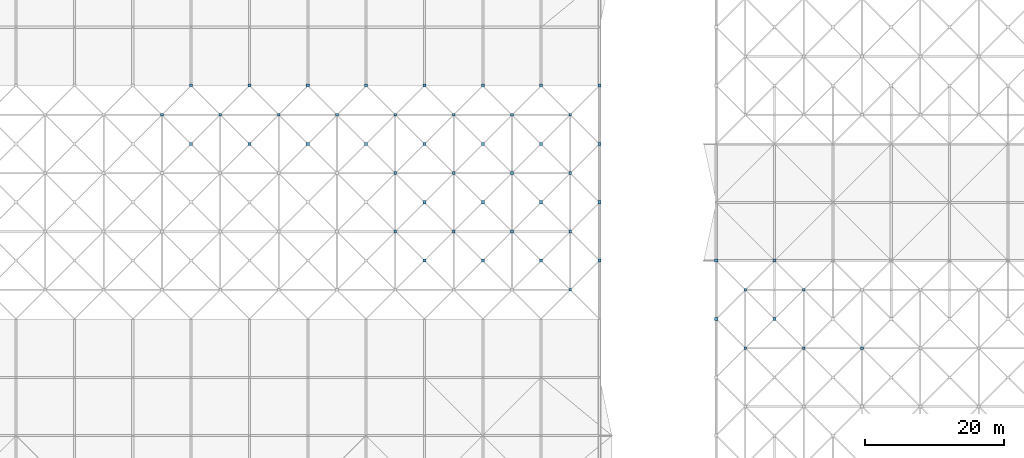
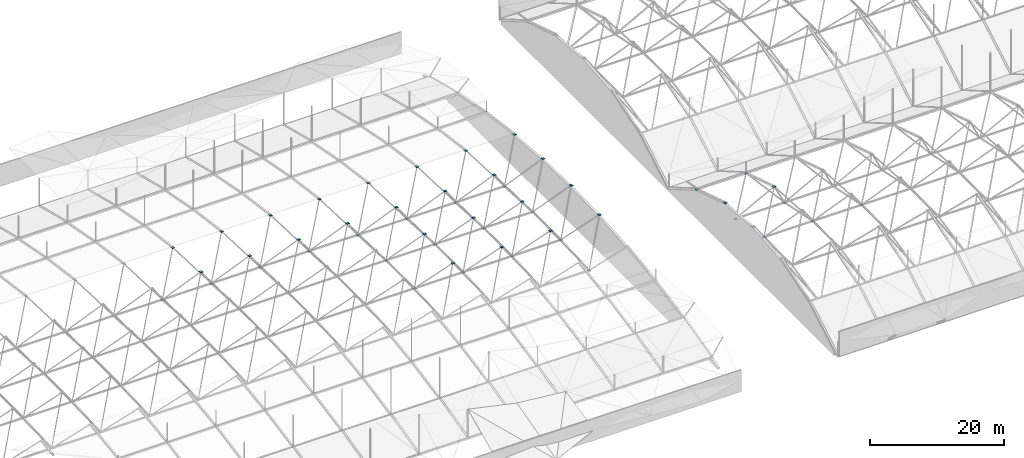
# One storey, part 105 of 111: 50 discrete accessories.
"""IFC4 building model written with IfcOpenShell, lengths in metres."""

from ifc_helpers import new_model, si_unit, direction, frame, origin, origin_2d, place, context, subcontext, project, spatial, rectangle, extrude, material, layer, layer_set, type_object, element, save


model = new_model("IFC4")

# Units and contexts
model_context = context("Model", 3, precision=1e-05, world=origin(), true_north=direction((0.0, 1.0)))
body_context = subcontext(model_context, "Body", "Model", "MODEL_VIEW")
ifc_project = project(units=[si_unit("LENGTHUNIT", "METRE"), si_unit("AREAUNIT", "SQUARE_METRE"), si_unit("VOLUMEUNIT", "CUBIC_METRE"), si_unit("PLANEANGLEUNIT", "RADIAN"), si_unit("MASSUNIT", "GRAM", prefix="KILO")], contexts=[model_context])

# Site, building, storey
site_placement = place(None, origin())
site = spatial("IfcSite", under=ifc_project, at=site_placement, CompositionType="ELEMENT")
building_placement = place(site_placement, origin())
building = spatial("IfcBuilding", under=site, at=building_placement, Name="Rain Tree Exposition and Congress Centre", CompositionType="ELEMENT")
storey_placement = place(building_placement, frame((0.0, 0.0, 19.5)))
storey = spatial("IfcBuildingStorey", under=building, at=storey_placement, Name="RF", CompositionType="ELEMENT", Elevation=19.5)

# Discrete accessories
ifc_material_1 = material(Name="Steel plate S355J2", Category="steel")
ifc_layer_1 = layer(ifc_material_1, 0.02001953125)
ifc_layer_set_1 = layer_set([ifc_layer_1], Name="Steel plate S355J2")
discrete_accessory_type_1 = type_object("IfcDiscreteAccessoryType", Name="Brace node plate 400x400x20", PredefinedType="BRACKET", material=ifc_layer_set_1)
for number, where, z_axis, x_axis, name in (
    (1, (121.800048828125, 138.60009765625, 0.378173828125), (0.0, 0.0, 1.0), (1.0, 0.0, 0.0), "Brace node plate 400"),
    (2, (96.60009765625, 147.0, 0.833251953125), (0.0, 0.0, 1.0), (1.0, 0.0, 0.0), "Brace node plate 400"),
    (3, (105.0, 147.0, 0.833251953125), (0.0, 0.0, 1.0), (1.0, 0.0, 0.0), "Brace node plate 400"),
    (4, (113.39990234375, 147.0, 0.833251953125), (0.0, 0.0, 1.0), (1.0, 0.0, 0.0), "Brace node plate 400"),
    (5, (121.800048828125, 147.0, 0.833251953125), (0.0, 0.0, 1.0), (1.0, 0.0, 0.0), "Brace node plate 400"),
    (6, (96.60009765625, 155.39990234375, 0.833251953125), (0.0, 0.0, 1.0), (1.0, 0.0, 0.0), "Brace node plate 400"),
    (7, (105.0, 155.39990234375, 0.833251953125), (0.0, 0.0, 1.0), (1.0, 0.0, 0.0), "Brace node plate 400"),
    (8, (113.39990234375, 155.39990234375, 0.833251953125), (0.0, 0.0, 1.0), (1.0, 0.0, 0.0), "Brace node plate 400"),
    (9, (121.800048828125, 155.39990234375, 0.833251953125), (0.0, 0.0, 1.0), (1.0, 0.0, 0.0), "Brace node plate 400"),
    (10, (63.0, 163.800048828125, 0.378173828125), (0.0, 0.0, 1.0), (1.0, 0.0, 0.0), "Brace node plate 400"),
    (11, (71.39990234375, 163.800048828125, 0.378173828125), (0.0, 0.0, 1.0), (1.0, 0.0, 0.0), "Brace node plate 400"),
    (12, (79.800048828125, 163.800048828125, 0.378173828125), (0.0, 0.0, 1.0), (1.0, 0.0, 0.0), "Brace node plate 400"),
    (13, (88.199951171875, 163.800048828125, 0.378173828125), (0.0, 0.0, 1.0), (1.0, 0.0, 0.0), "Brace node plate 400"),
    (14, (96.60009765625, 163.800048828125, 0.378173828125), (0.0, 0.0, 1.0), (1.0, 0.0, 0.0), "Brace node plate 400"),
    (15, (105.0, 163.800048828125, 0.378173828125), (0.0, 0.0, 1.0), (1.0, 0.0, 0.0), "Brace node plate 400"),
    (16, (113.39990234375, 163.800048828125, 0.378173828125), (0.0, 0.0, 1.0), (1.0, 0.0, 0.0), "Brace node plate 400"),
    (17, (121.800048828125, 163.800048828125, 0.378173828125), (0.0, 0.0, 1.0), (1.0, 0.0, 0.0), "Brace node plate 400"),
    (18, (147.0, 130.199951171875, 2.678955078125), (0.0, 0.0, 1.0), (1.0, 0.0, 0.0), "Brace node plate 400"),
    (19, (155.39990234375, 130.199951171875, 2.678955078125), (0.0, 0.0, 1.0), (1.0, 0.0, 0.0), "Brace node plate 400"),
    (20, (163.800048828125, 130.199951171875, 2.678955078125), (0.0, 0.0, 1.0), (1.0, 0.0, 0.0), "Brace node plate 400"),
    (21, (147.0, 138.60009765625, 0.955078125), (0.0, 0.0, 1.0), (1.0, 0.0, 0.0), "Brace node plate 400"),
    (22, (155.39990234375, 138.60009765625, 0.955078125), (0.0, 0.0, 1.0), (1.0, 0.0, 0.0), "Brace node plate 400"),
):
    element("IfcDiscreteAccessory", number, at=place(storey_placement, frame(where, z_axis=z_axis, x_axis=x_axis)), inside=storey, type_object=discrete_accessory_type_1, Name=name, PredefinedType="BRACKET", context=body_context, shape_type="SweptSolid", body=[
        extrude(rectangle(XDim=0.39990234375, YDim=0.39990234375, at=origin_2d()), origin(), (0.0, 0.0, 1.0), 0.02001953125),
    ])
ifc_material_2 = material(Name="Steel plate S355J2", Category="steel")
ifc_layer_2 = layer(ifc_material_2, 0.02001953125)
ifc_layer_set_2 = layer_set([ifc_layer_2], Name="Steel plate S355J2")
discrete_accessory_type_2 = type_object("IfcDiscreteAccessoryType", Name="Brace node plate 450x450x20", PredefinedType="BRACKET", material=ifc_layer_set_2)
for number, where, z_axis, x_axis, name in (
    (23, (100.800048828125, 142.800048828125, 6.5126953125), (0.0, 0.0, 1.0), (1.0, 0.0, 0.0), "Brace node plate 450"),
    (24, (109.199951171875, 142.800048828125, 6.5126953125), (0.0, 0.0, 1.0), (1.0, 0.0, 0.0), "Brace node plate 450"),
    (25, (117.60009765625, 142.800048828125, 6.5126953125), (0.0, 0.0, 1.0), (1.0, 0.0, 0.0), "Brace node plate 450"),
    (26, (126.0, 142.800048828125, 6.5126953125), (0.0, 0.0, 1.0), (1.0, 0.0, 0.0), "Brace node plate 450"),
    (27, (100.800048828125, 151.199951171875, 6.739990234375), (0.0, 0.0, 1.0), (1.0, 0.0, 0.0), "Brace node plate 450"),
    (28, (109.199951171875, 151.199951171875, 6.739990234375), (0.0, 0.0, 1.0), (1.0, 0.0, 0.0), "Brace node plate 450"),
    (29, (117.60009765625, 151.199951171875, 6.739990234375), (0.0, 0.0, 1.0), (1.0, 0.0, 0.0), "Brace node plate 450"),
    (30, (126.0, 151.199951171875, 6.739990234375), (0.0, 0.0, 1.0), (1.0, 0.0, 0.0), "Brace node plate 450"),
    (31, (67.199951171875, 159.60009765625, 6.5126953125), (0.0, 0.0, 1.0), (1.0, 0.0, 0.0), "Brace node plate 450"),
    (32, (75.60009765625, 159.60009765625, 6.5126953125), (0.0, 0.0, 1.0), (1.0, 0.0, 0.0), "Brace node plate 450"),
    (33, (84.0, 159.60009765625, 6.5126953125), (0.0, 0.0, 1.0), (1.0, 0.0, 0.0), "Brace node plate 450"),
    (34, (92.39990234375, 159.60009765625, 6.5126953125), (0.0, 0.0, 1.0), (1.0, 0.0, 0.0), "Brace node plate 450"),
    (35, (100.800048828125, 159.60009765625, 6.5126953125), (0.0, 0.0, 1.0), (1.0, 0.0, 0.0), "Brace node plate 450"),
    (36, (109.199951171875, 159.60009765625, 6.5126953125), (0.0, 0.0, 1.0), (1.0, 0.0, 0.0), "Brace node plate 450"),
    (37, (117.60009765625, 159.60009765625, 6.5126953125), (0.0, 0.0, 1.0), (1.0, 0.0, 0.0), "Brace node plate 450"),
    (38, (126.0, 159.60009765625, 6.5126953125), (0.0, 0.0, 1.0), (1.0, 0.0, 0.0), "Brace node plate 450"),
    (39, (67.199951171875, 168.0, 5.8291015625), (0.0, 0.0, 1.0), (1.0, 0.0, 0.0), "Brace node plate 450"),
    (40, (75.60009765625, 168.0, 5.8291015625), (0.0, 0.0, 1.0), (1.0, 0.0, 0.0), "Brace node plate 450"),
    (41, (84.0, 168.0, 5.8291015625), (0.0, 0.0, 1.0), (1.0, 0.0, 0.0), "Brace node plate 450"),
    (42, (92.39990234375, 168.0, 5.8291015625), (0.0, 0.0, 1.0), (1.0, 0.0, 0.0), "Brace node plate 450"),
    (43, (100.800048828125, 168.0, 5.8291015625), (0.0, 0.0, 1.0), (1.0, 0.0, 0.0), "Brace node plate 450"),
    (44, (109.199951171875, 168.0, 5.8291015625), (0.0, 0.0, 1.0), (1.0, 0.0, 0.0), "Brace node plate 450"),
    (45, (117.60009765625, 168.0, 5.8291015625), (0.0, 0.0, 1.0), (1.0, 0.0, 0.0), "Brace node plate 450"),
    (46, (126.0, 168.0, 5.8291015625), (0.0, 0.0, 1.0), (1.0, 0.0, 0.0), "Brace node plate 450"),
    (47, (142.800048828125, 134.39990234375, 7.890869140625), (0.0, 0.0, 1.0), (1.0, 0.0, 0.0), "Brace node plate 450"),
    (48, (151.199951171875, 134.39990234375, 7.890869140625), (0.0, 0.0, 1.0), (1.0, 0.0, 0.0), "Brace node plate 450"),
    (49, (142.800048828125, 142.800048828125, 5.23388671875), (0.0, 0.0, 1.0), (1.0, 0.0, 0.0), "Brace node plate 450"),
    (50, (151.199951171875, 142.800048828125, 5.23388671875), (0.0, 0.0, 1.0), (1.0, 0.0, 0.0), "Brace node plate 450"),
):
    element("IfcDiscreteAccessory", number, at=place(storey_placement, frame(where, z_axis=z_axis, x_axis=x_axis)), inside=storey, type_object=discrete_accessory_type_2, Name=name, PredefinedType="BRACKET", context=body_context, shape_type="SweptSolid", body=[
        extrude(rectangle(XDim=0.449951171875, YDim=0.449951171875, at=origin_2d()), origin(), (0.0, 0.0, 1.0), 0.02001953125),
    ])

save(model, "model.ifc")
